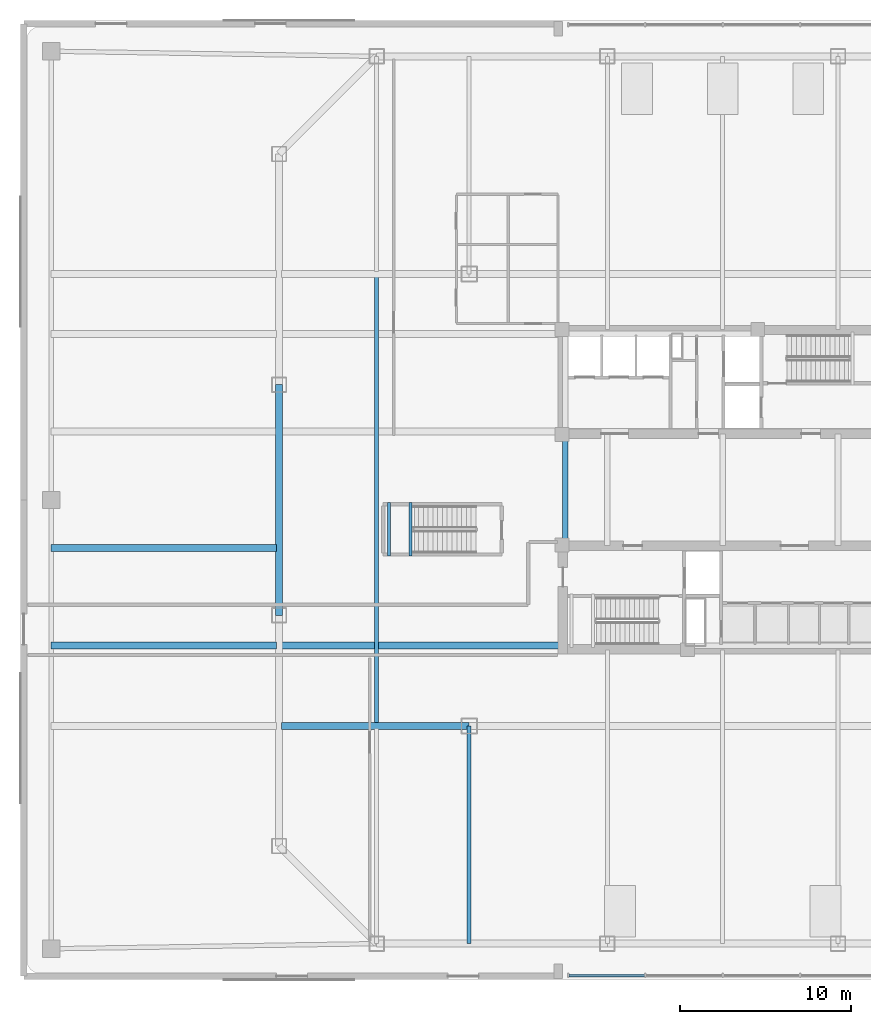
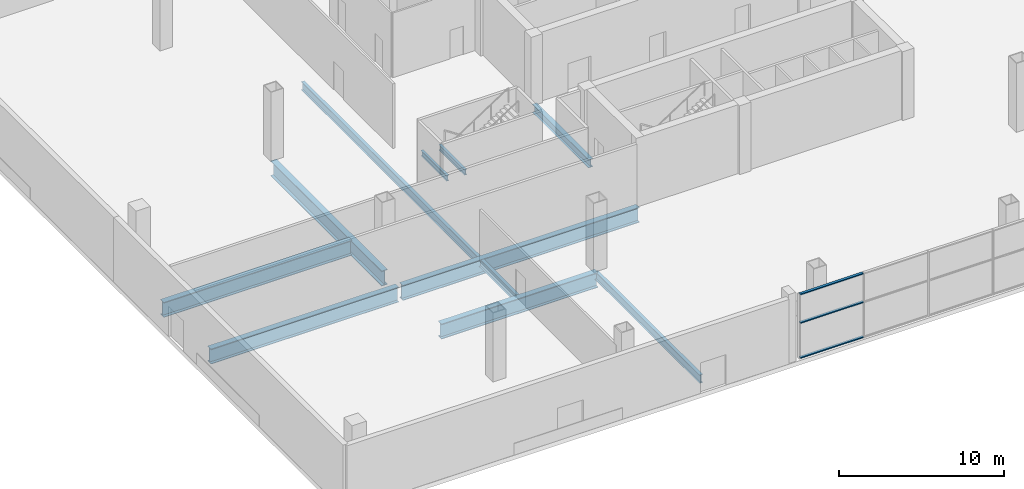
# One storey, part 3 of 21: 10 beams, 3 members, 1 element without a shape of its own.
"""IFC4 building model written with IfcOpenShell, lengths in metres."""

from ifc_helpers import new_model, si_unit, direction, frame, origin, origin_2d, place, context, subcontext, project, spatial, hollow_rectangle, i_section, extrude, material, layer, layer_set, material_profile, profile_set, type_object, element, aggregate, save


model = new_model("IFC4")

# Units and contexts
model_context = context("Model", 3, precision=1e-05, world=origin(), true_north=direction((0.0, 1.0)))
body_context = subcontext(model_context, "Body", "Model", "MODEL_VIEW")
ifc_project = project(units=[si_unit("LENGTHUNIT", "METRE"), si_unit("AREAUNIT", "SQUARE_METRE"), si_unit("VOLUMEUNIT", "CUBIC_METRE"), si_unit("PLANEANGLEUNIT", "RADIAN"), si_unit("MASSUNIT", "GRAM", prefix="KILO")], contexts=[model_context])

# Site, building, storey
site_placement = place(None, origin())
site = spatial("IfcSite", under=ifc_project, at=site_placement, CompositionType="ELEMENT")
building_placement = place(site_placement, origin())
building = spatial("IfcBuilding", under=site, at=building_placement, Name="Qhalaya Broadcast Tower", CompositionType="ELEMENT")
storey_placement = place(building_placement, origin())
storey = spatial("IfcBuildingStorey", under=building, at=storey_placement, Name="L00", CompositionType="ELEMENT", Elevation=0.0)

# Beams
ifc_material_1 = material(Name="Structural Steel ASTM A992 Grade 50", Category="steel")
ifc_material_profile_1 = material_profile(ifc_material_1, i_section(OverallWidth=0.22802734375, OverallDepth=0.60693359375, WebThickness=0.01123046875, FlangeThickness=0.017333984375, at=origin_2d()), Name="W24X76")
ifc_profile_set_1 = profile_set([ifc_material_profile_1], Name="Structural Steel ASTM A992 Grade 50")
beam_type_1 = type_object("IfcBeamType", Name="Composite Floor Joist J01", PredefinedType="JOIST", material=ifc_profile_set_1)
beam_1_placement = place(storey_placement, frame((-20.199951171875, -13.06005859375, -0.62353515625), z_axis=(0.0, 1.0, 0.0), x_axis=(-1.0, 0.0, 0.0)))
element("IfcBeam", 1, at=beam_1_placement, inside=storey, type_object=beam_type_1, Name="L00 J01 L00-JS-M-20.2", PredefinedType="JOIST", context=body_context, shape_type="SweptSolid", body=[
    extrude(i_section(OverallWidth=0.22802734375, OverallDepth=0.60693359375, WebThickness=0.01123046875, FlangeThickness=0.017333984375, at=origin_2d()), origin(), (0.0, 0.0, 1.0), 26.1201171875),
])
beam_2_placement = place(storey_placement, frame((-14.800048828125, -25.89990234375, -0.62353515625), z_axis=(0.0, 1.0, 0.0), x_axis=(-1.0, 0.0, 0.0)))
element("IfcBeam", 2, at=beam_2_placement, inside=storey, type_object=beam_type_1, Name="L00 J01 L00-JS-S-14.8", PredefinedType="JOIST", context=body_context, shape_type="SweptSolid", body=[
    extrude(i_section(OverallWidth=0.22802734375, OverallDepth=0.60693359375, WebThickness=0.01123046875, FlangeThickness=0.017333984375, at=origin_2d()), origin(), (0.0, 0.0, 1.0), 12.699951171875),
])
ifc_material_profile_2 = material_profile(ifc_material_1, i_section(OverallWidth=0.323974609375, OverallDepth=0.612060546875, WebThickness=0.0126953125, FlangeThickness=0.01904296875, at=origin_2d()), Name="W24X104")
ifc_profile_set_2 = profile_set([ifc_material_profile_2], Name="Structural Steel ASTM A992 Grade 50")
beam_type_2 = type_object("IfcBeamType", Name="Core Frame Tie Beam B04", PredefinedType="BEAM", material=ifc_profile_set_2)
beam_3_placement = place(storey_placement, frame((-9.199951171875, -2.800048828125, -0.6259765625), z_axis=(0.0, 1.0, 0.0), x_axis=(-1.0, 0.0, 0.0)))
element("IfcBeam", 3, at=beam_3_placement, inside=storey, type_object=beam_type_2, Name="L00 B04 L00-CCW", PredefinedType="BEAM", context=body_context, shape_type="SweptSolid", body=[
    extrude(i_section(OverallWidth=0.323974609375, OverallDepth=0.612060546875, WebThickness=0.0126953125, FlangeThickness=0.01904296875, at=origin_2d()), origin(), (0.0, 0.0, 1.0), 6.800048828125),
])
ifc_material_profile_3 = material_profile(ifc_material_1, i_section(OverallWidth=0.404052734375, OverallDepth=1.117919921875, WebThickness=0.026123046875, FlangeThickness=0.044921875, at=origin_2d()), Name="W44X335")
ifc_profile_set_3 = profile_set([ifc_material_profile_3], Name="Structural Steel ASTM A992 Grade 50")
beam_type_3 = type_object("IfcBeamType", Name="Podium Long-Span Primary Girder PG1", PredefinedType="USERDEFINED", material=ifc_profile_set_3)
beam_4_placement = place(storey_placement, frame((-25.89990234375, 6.7333984375, -0.87890625), z_axis=(0.0, -1.0, 0.0), x_axis=(1.0, 0.0, 0.0)))
element("IfcBeam", 4, at=beam_4_placement, inside=storey, type_object=beam_type_3, Name="L00 PG1 L00-PG-R14", ObjectType="GIRDER", PredefinedType="USERDEFINED", context=body_context, shape_type="SweptSolid", body=[
    extrude(i_section(OverallWidth=0.404052734375, OverallDepth=1.117919921875, WebThickness=0.026123046875, FlangeThickness=0.044921875, at=origin_2d()), origin(), (0.0, 0.0, 1.0), 13.466796875),
])
beam_5_placement = place(storey_placement, frame((-25.760009765625, -13.199951171875, -0.87890625), z_axis=(1.0, 0.0, 0.0), x_axis=(0.0, 1.0, 0.0)))
element("IfcBeam", 5, at=beam_5_placement, inside=storey, type_object=beam_type_3, Name="L00 PG1 L00-PG-GS2", ObjectType="GIRDER", PredefinedType="USERDEFINED", context=body_context, shape_type="SweptSolid", body=[
    extrude(i_section(OverallWidth=0.404052734375, OverallDepth=1.117919921875, WebThickness=0.026123046875, FlangeThickness=0.044921875, at=origin_2d()), origin(), (0.0, 0.0, 1.0), 10.9599609375),
])
beam_6_placement = place(storey_placement, frame((-39.199951171875, -8.5, -0.87890625), z_axis=(1.0, 0.0, 0.0), x_axis=(0.0, 1.0, 0.0)))
element("IfcBeam", 6, at=beam_6_placement, inside=storey, type_object=beam_type_3, Name="L00 PG1 L00-PG-W1A", ObjectType="GIRDER", PredefinedType="USERDEFINED", context=body_context, shape_type="SweptSolid", body=[
    extrude(i_section(OverallWidth=0.404052734375, OverallDepth=1.117919921875, WebThickness=0.026123046875, FlangeThickness=0.044921875, at=origin_2d()), origin(), (0.0, 0.0, 1.0), 13.159912109375),
])
beam_7_placement = place(storey_placement, frame((-25.760009765625, -8.5, -0.87890625), z_axis=(1.0, 0.0, 0.0), x_axis=(0.0, 1.0, 0.0)))
element("IfcBeam", 7, at=beam_7_placement, inside=storey, type_object=beam_type_3, Name="L00 PG1 L00-PG-W1B", ObjectType="GIRDER", PredefinedType="USERDEFINED", context=body_context, shape_type="SweptSolid", body=[
    extrude(i_section(OverallWidth=0.404052734375, OverallDepth=1.117919921875, WebThickness=0.026123046875, FlangeThickness=0.044921875, at=origin_2d()), origin(), (0.0, 0.0, 1.0), 16.56005859375),
])
beam_8_placement = place(storey_placement, frame((-39.199951171875, -2.800048828125, -0.87890625), z_axis=(1.0, 0.0, 0.0), x_axis=(0.0, 1.0, 0.0)))
element("IfcBeam", 8, at=beam_8_placement, inside=storey, type_object=beam_type_3, Name="L00 PG1 L00-PG-W2A", ObjectType="GIRDER", PredefinedType="USERDEFINED", context=body_context, shape_type="SweptSolid", body=[
    extrude(i_section(OverallWidth=0.404052734375, OverallDepth=1.117919921875, WebThickness=0.026123046875, FlangeThickness=0.044921875, at=origin_2d()), origin(), (0.0, 0.0, 1.0), 13.159912109375),
])

# Curtain wall, members
ifc_material_2 = material(Name="Solar-Control Low-E Triple Glazing", Category="glass")
ifc_layer = layer(ifc_material_2, 0.219970703125, Name="Solar-Control Low-E Triple Glazing")
ifc_layer_set = layer_set([ifc_layer], Name="Solar-Control Low-E Triple Glazing")
curtain_wall_type = type_object("IfcCurtainWallType", Name="Podium Concourse Triple-Height Glazed Portal CW-01", PredefinedType="NOTDEFINED", material=ifc_layer_set)
curtain_wall_placement = place(storey_placement, origin())
curtain_wall = element("IfcCurtainWall", 9, at=curtain_wall_placement, inside=storey, type_object=curtain_wall_type, Name="L00 Unitised Curtain Wall L00-CW01-S", PredefinedType="NOTDEFINED")
ifc_material_3 = material(Name="Anodised Aluminium 6063-T6", Category="aluminium")
ifc_material_profile_4 = material_profile(ifc_material_3, hollow_rectangle(XDim=0.074951171875, YDim=0.179931640625, WallThickness=0.00390625, at=origin_2d()), Name="ALU-TRN 75x180x4")
ifc_profile_set_4 = profile_set([ifc_material_profile_4], Name="Anodised Aluminium 6063-T6")
member_type = type_object("IfcMemberType", Name="Unitised Curtain-Wall Transom T01", PredefinedType="USERDEFINED", material=ifc_profile_set_4)
member_1_placement = place(storey_placement, frame((-8.97509765625, -27.75, 0.03759765625), z_axis=(1.0, 0.0, 0.0), x_axis=(0.0, 0.0, 1.0)))
member_1 = element("IfcMember", 10, at=member_1_placement, type_object=member_type, Name="CW-01 transom 1.1", ObjectType="TRANSOM", PredefinedType="USERDEFINED", context=body_context, shape_type="SweptSolid", body=[
    extrude(hollow_rectangle(XDim=0.074951171875, YDim=0.179931640625, WallThickness=0.00390625, at=origin_2d()), origin(), (0.0, 0.0, 1.0), 4.41259765625),
])
member_2_placement = place(storey_placement, frame((-8.97509765625, -27.75, 2.62890625), z_axis=(1.0, 0.0, 0.0), x_axis=(0.0, 0.0, 1.0)))
member_2 = element("IfcMember", 11, at=member_2_placement, type_object=member_type, Name="CW-01 transom 1.2", ObjectType="TRANSOM", PredefinedType="USERDEFINED", context=body_context, shape_type="SweptSolid", body=[
    extrude(hollow_rectangle(XDim=0.074951171875, YDim=0.179931640625, WallThickness=0.00390625, at=origin_2d()), origin(), (0.0, 0.0, 1.0), 4.41259765625),
])
member_3_placement = place(storey_placement, frame((-8.97509765625, -27.75, 4.742431640625), z_axis=(1.0, 0.0, 0.0), x_axis=(0.0, 0.0, 1.0)))
member_3 = element("IfcMember", 12, at=member_3_placement, type_object=member_type, Name="CW-01 transom 1.3", ObjectType="TRANSOM", PredefinedType="USERDEFINED", context=body_context, shape_type="SweptSolid", body=[
    extrude(hollow_rectangle(XDim=0.074951171875, YDim=0.179931640625, WallThickness=0.00390625, at=origin_2d()), origin(), (0.0, 0.0, 1.0), 4.41259765625),
])
aggregate(curtain_wall, [member_1, member_2, member_3])

# Beams
ifc_material_profile_5 = material_profile(ifc_material_1, i_section(OverallWidth=0.177978515625, OverallDepth=0.406005859375, WebThickness=0.0078125, FlangeThickness=0.0126953125, at=origin_2d()), Name="W16X40")
ifc_profile_set_5 = profile_set([ifc_material_profile_5], Name="Structural Steel ASTM A992 Grade 50")
beam_type_4 = type_object("IfcBeamType", Name="Upper Perimeter Spandrel Beam SP2", PredefinedType="SPANDREL", material=ifc_profile_set_5)
for number, where, z_axis, x_axis, name in (
    (13, (-19.47998046875, -3.280029296875, 2.14697265625), (0.0, 1.0, 0.0), (-1.0, 0.0, 0.0), "L00 ST-P1 Half-Landing Bearer Beam 1"),
    (14, (-18.22509765625, -3.280029296875, 2.14697265625), (0.0, 1.0, 0.0), (-1.0, 0.0, 0.0), "L00 ST-P1 Half-Landing Bearer Beam 2"),
):
    element("IfcBeam", number, at=place(storey_placement, frame(where, z_axis=z_axis, x_axis=x_axis)), inside=storey, type_object=beam_type_4, Name=name, PredefinedType="SPANDREL", context=body_context, shape_type="SweptSolid", body=[
        extrude(i_section(OverallWidth=0.177978515625, OverallDepth=0.406005859375, WebThickness=0.0078125, FlangeThickness=0.0126953125, at=origin_2d()), origin(), (0.0, 0.0, 1.0), 3.1201171875),
    ])

save(model, "model.ifc")
